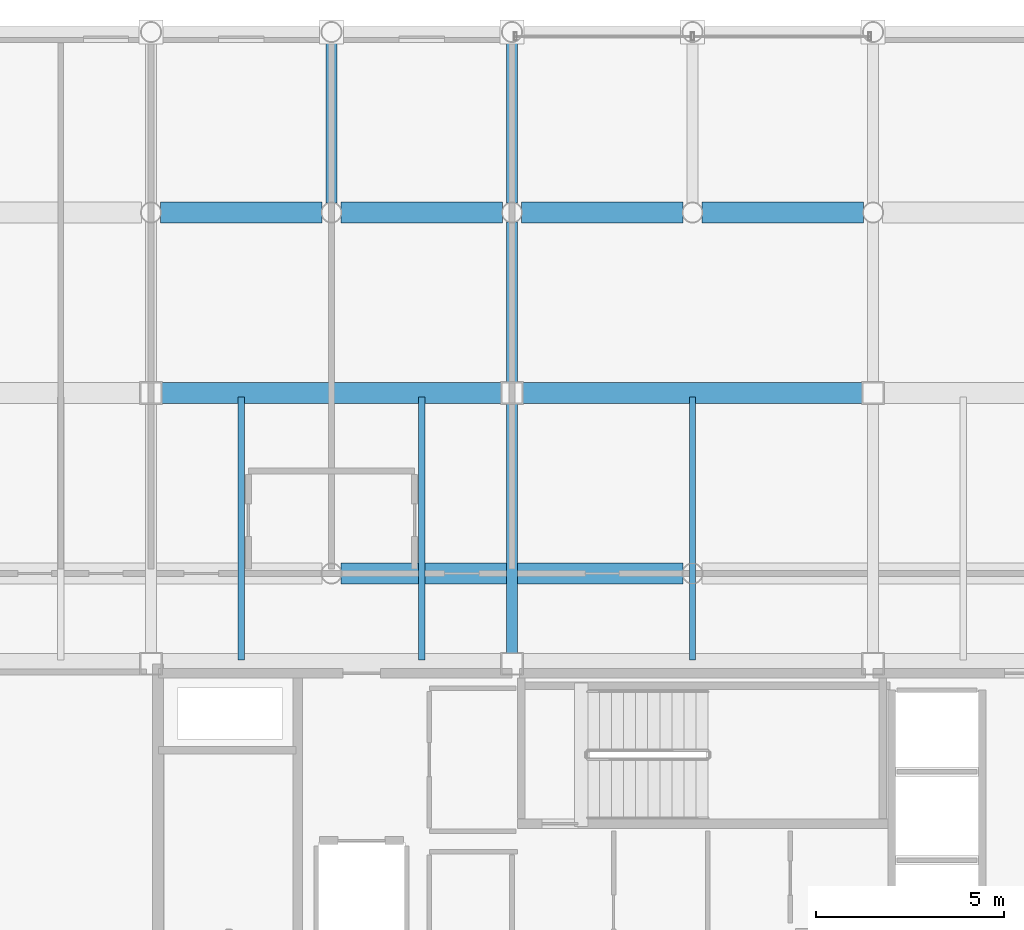
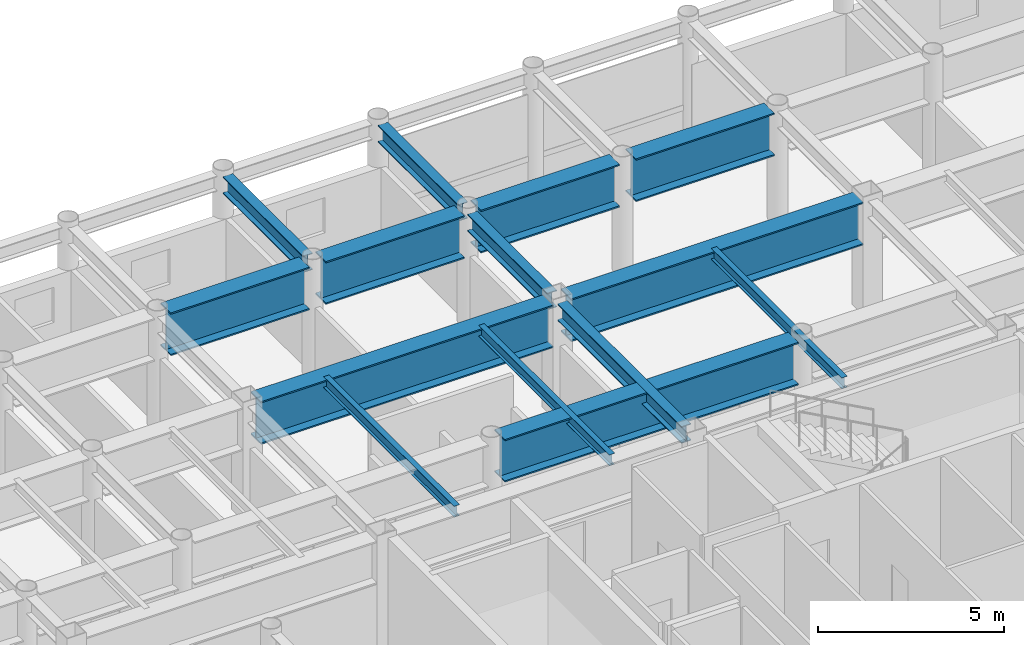
# One storey, part 13 of 26: 14 beams.
"""IFC4 building model written with IfcOpenShell, lengths in metres."""

from ifc_helpers import new_model, si_unit, direction, frame, origin, origin_2d, place, context, subcontext, project, spatial, i_section, extrude, material, material_profile, profile_set, type_object, element, save


model = new_model("IFC4")

# Units and contexts
model_context = context("Model", 3, precision=1e-05, world=origin(), true_north=direction((0.0, 1.0)))
body_context = subcontext(model_context, "Body", "Model", "MODEL_VIEW")
ifc_project = project(units=[si_unit("LENGTHUNIT", "METRE"), si_unit("AREAUNIT", "SQUARE_METRE"), si_unit("VOLUMEUNIT", "CUBIC_METRE"), si_unit("PLANEANGLEUNIT", "RADIAN"), si_unit("MASSUNIT", "GRAM", prefix="KILO")], contexts=[model_context])

# Site, building, storey
site_placement = place(None, origin())
site = spatial("IfcSite", under=ifc_project, at=site_placement, CompositionType="ELEMENT")
building_placement = place(site_placement, origin())
building = spatial("IfcBuilding", under=site, at=building_placement, Name="Kallvorn Hotel Tower", CompositionType="ELEMENT")
storey_placement = place(building_placement, frame((0.0, 0.0, 222.300048828125)))
storey = spatial("IfcBuildingStorey", under=building, at=storey_placement, Name="L55", CompositionType="ELEMENT", Elevation=222.300048828125)

# Beams
ifc_material_1 = material(Name="Structural steel S355JR", Category="steel")
ifc_material_profile_1 = material_profile(ifc_material_1, i_section(OverallWidth=0.300048828125, OverallDepth=0.550048828125, WebThickness=0.014892578125, FlangeThickness=0.029052734375, at=origin_2d()), Name="HE 550 B")
ifc_profile_set_1 = profile_set([ifc_material_profile_1], Name="Structural steel S355JR")
beam_type_1 = type_object("IfcBeamType", Name="BM_HE550B", PredefinedType="SPANDREL", material=ifc_profile_set_1)
beam_1_placement = place(storey_placement, frame((-9.60009765625, 19.45458984375, 3.39501953125), z_axis=(0.0, 1.0, 0.0), x_axis=(-1.0, 0.0, 0.0)))
element("IfcBeam", 1, at=beam_1_placement, inside=storey, type_object=beam_type_1, Name="L56 Primary Y-Girder 104", PredefinedType="SPANDREL", context=body_context, shape_type="SweptSolid", body=[
    extrude(i_section(OverallWidth=0.300048828125, OverallDepth=0.550048828125, WebThickness=0.014892578125, FlangeThickness=0.029052734375, at=origin_2d()), origin(), (0.0, 0.0, 1.0), 4.291015625),
])
beam_2_placement = place(storey_placement, frame((-4.800048828125, 7.47509765625, 3.39501953125), z_axis=(0.0, 1.0, 0.0), x_axis=(-1.0, 0.0, 0.0)))
element("IfcBeam", 2, at=beam_2_placement, inside=storey, type_object=beam_type_1, Name="L56 Primary Y-Girder 107", PredefinedType="SPANDREL", context=body_context, shape_type="SweptSolid", body=[
    extrude(i_section(OverallWidth=0.300048828125, OverallDepth=0.550048828125, WebThickness=0.014892578125, FlangeThickness=0.029052734375, at=origin_2d()), origin(), (0.0, 0.0, 1.0), 6.64990234375),
])
beam_3_placement = place(storey_placement, frame((-4.800048828125, 14.675048828125, 3.39501953125), z_axis=(0.0, 1.0, 0.0), x_axis=(-1.0, 0.0, 0.0)))
element("IfcBeam", 3, at=beam_3_placement, inside=storey, type_object=beam_type_1, Name="L56 Primary Y-Girder 108", PredefinedType="SPANDREL", context=body_context, shape_type="SweptSolid", body=[
    extrude(i_section(OverallWidth=0.300048828125, OverallDepth=0.550048828125, WebThickness=0.014892578125, FlangeThickness=0.029052734375, at=origin_2d()), origin(), (0.0, 0.0, 1.0), 4.2705078125),
])
beam_4_placement = place(storey_placement, frame((-4.800048828125, 19.45458984375, 3.39501953125), z_axis=(0.0, 1.0, 0.0), x_axis=(-1.0, 0.0, 0.0)))
element("IfcBeam", 4, at=beam_4_placement, inside=storey, type_object=beam_type_1, Name="L56 Primary Y-Girder 109", PredefinedType="SPANDREL", context=body_context, shape_type="SweptSolid", body=[
    extrude(i_section(OverallWidth=0.300048828125, OverallDepth=0.550048828125, WebThickness=0.014892578125, FlangeThickness=0.029052734375, at=origin_2d()), origin(), (0.0, 0.0, 1.0), 4.291015625),
])
ifc_material_2 = material(Name="Structural steel S355JR", Category="steel")
ifc_material_profile_2 = material_profile(ifc_material_2, i_section(OverallWidth=0.169921875, OverallDepth=0.360107421875, WebThickness=0.008056640625, FlangeThickness=0.0126953125, at=origin_2d()), Name="IPE 360")
ifc_profile_set_2 = profile_set([ifc_material_profile_2], Name="Structural steel S355JR")
beam_type_2 = type_object("IfcBeamType", Name="BM_IPE360", PredefinedType="JOIST", material=ifc_profile_set_2)
for number, where, z_axis, x_axis, name in (
    (5, (-12.0, 7.300048828125, 3.489990234375), (0.0, 1.0, 0.0), (-1.0, 0.0, 0.0), "L56 Secondary Composite Joist 197"),
    (6, (-7.199951171875, 7.300048828125, 3.489990234375), (0.0, 1.0, 0.0), (-1.0, 0.0, 0.0), "L56 Secondary Composite Joist 199"),
    (7, (0.0, 7.300048828125, 3.489990234375), (0.0, 1.0, 0.0), (-1.0, 0.0, 0.0), "L56 Secondary Composite Joist 201"),
):
    element("IfcBeam", number, at=place(storey_placement, frame(where, z_axis=z_axis, x_axis=x_axis)), inside=storey, type_object=beam_type_2, Name=name, PredefinedType="JOIST", context=body_context, shape_type="SweptSolid", body=[
        extrude(i_section(OverallWidth=0.169921875, OverallDepth=0.360107421875, WebThickness=0.008056640625, FlangeThickness=0.0126953125, at=origin_2d()), origin(), (0.0, 0.0, 1.0), 7.0),
    ])
ifc_material_3 = material(Name="Structural steel S355JR", Category="steel")
ifc_material_profile_3 = material_profile(ifc_material_3, i_section(OverallWidth=0.550048828125, OverallDepth=1.39990234375, WebThickness=0.02490234375, FlangeThickness=0.044921875, at=origin_2d()), Name="PG 1400x550x25x45")
ifc_profile_set_3 = profile_set([ifc_material_profile_3], Name="Structural steel S355JR")
beam_type_3 = type_object("IfcBeamType", Name="BM_PG_1400", PredefinedType="BEAM", material=ifc_profile_set_3)
beam_5_placement = place(storey_placement, frame((-9.345458984375, 9.60009765625, 2.969970703125), z_axis=(1.0, 0.0, 0.0), x_axis=(0.0, 1.0, 0.0)))
element("IfcBeam", 8, at=beam_5_placement, inside=storey, type_object=beam_type_3, Name="L56 Primary X-Girder 44", PredefinedType="BEAM", context=body_context, shape_type="SweptSolid", body=[
    extrude(i_section(OverallWidth=0.550048828125, OverallDepth=1.39990234375, WebThickness=0.02490234375, FlangeThickness=0.044921875, at=origin_2d()), origin(), (0.0, 0.0, 1.0), 9.091064453125),
])
beam_6_placement = place(storey_placement, frame((-14.125, 14.39990234375, 2.969970703125), z_axis=(1.0, 0.0, 0.0), x_axis=(0.0, 1.0, 0.0)))
element("IfcBeam", 9, at=beam_6_placement, inside=storey, type_object=beam_type_3, Name="L56 Primary X-Girder 53", PredefinedType="BEAM", context=body_context, shape_type="SweptSolid", body=[
    extrude(i_section(OverallWidth=0.550048828125, OverallDepth=1.39990234375, WebThickness=0.02490234375, FlangeThickness=0.044921875, at=origin_2d()), origin(), (0.0, 0.0, 1.0), 9.050048828125),
])
beam_7_placement = place(storey_placement, frame((-4.52490234375, 14.39990234375, 2.969970703125), z_axis=(1.0, 0.0, 0.0), x_axis=(0.0, 1.0, 0.0)))
element("IfcBeam", 10, at=beam_7_placement, inside=storey, type_object=beam_type_3, Name="L56 Primary X-Girder 54", PredefinedType="BEAM", context=body_context, shape_type="SweptSolid", body=[
    extrude(i_section(OverallWidth=0.550048828125, OverallDepth=1.39990234375, WebThickness=0.02490234375, FlangeThickness=0.044921875, at=origin_2d()), origin(), (0.0, 0.0, 1.0), 9.0498046875),
])
for number, where, z_axis, x_axis, name in (
    (11, (-14.1455078125, 19.199951171875, 2.969970703125), (1.0, 0.0, 0.0), (0.0, 1.0, 0.0), "L56 Primary X-Girder 63"),
    (12, (-9.345458984375, 19.199951171875, 2.969970703125), (1.0, 0.0, 0.0), (0.0, 1.0, 0.0), "L56 Primary X-Girder 64"),
    (13, (-4.54541015625, 19.199951171875, 2.969970703125), (1.0, 0.0, 0.0), (0.0, 1.0, 0.0), "L56 Primary X-Girder 65"),
    (14, (0.25439453125, 19.199951171875, 2.969970703125), (1.0, 0.0, 0.0), (0.0, 1.0, 0.0), "L56 Primary X-Girder 66"),
):
    element("IfcBeam", number, at=place(storey_placement, frame(where, z_axis=z_axis, x_axis=x_axis)), inside=storey, type_object=beam_type_3, Name=name, PredefinedType="BEAM", context=body_context, shape_type="SweptSolid", body=[
        extrude(i_section(OverallWidth=0.550048828125, OverallDepth=1.39990234375, WebThickness=0.02490234375, FlangeThickness=0.044921875, at=origin_2d()), origin(), (0.0, 0.0, 1.0), 4.291015625),
    ])

save(model, "model.ifc")
